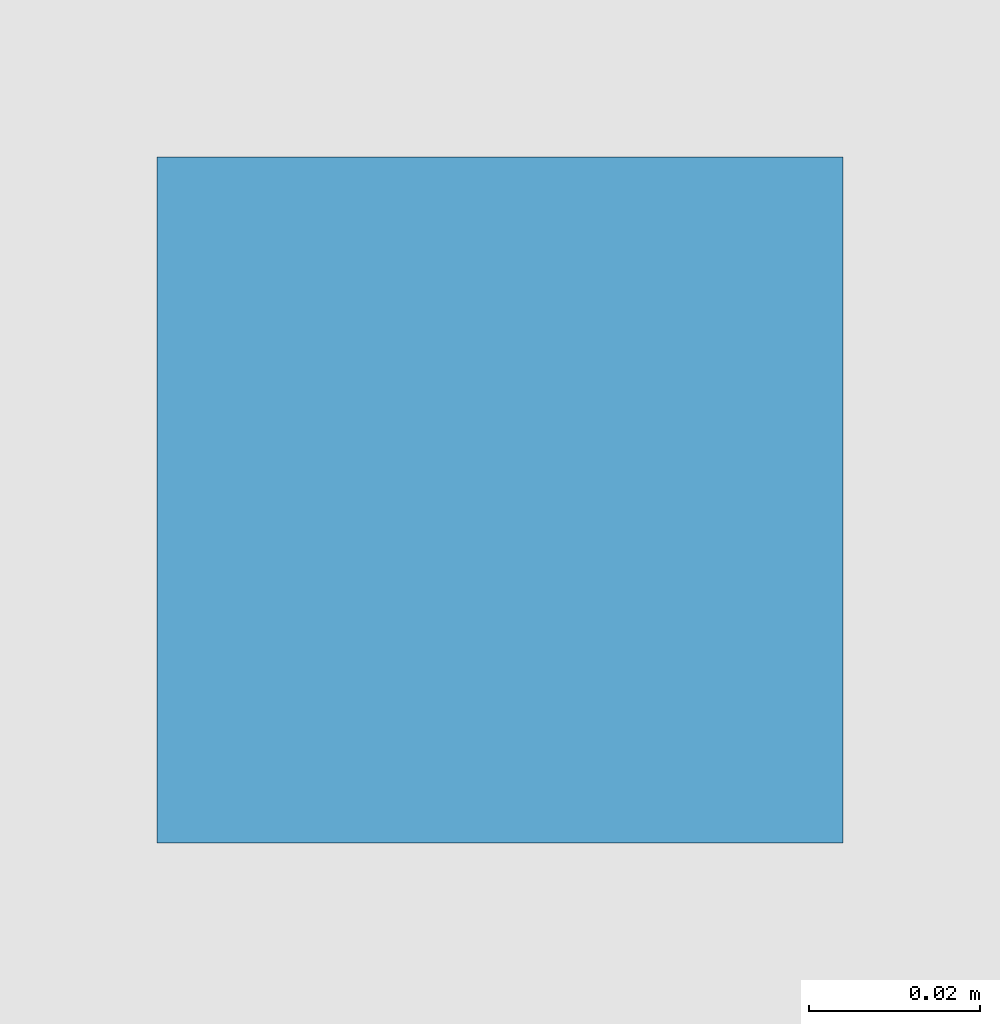
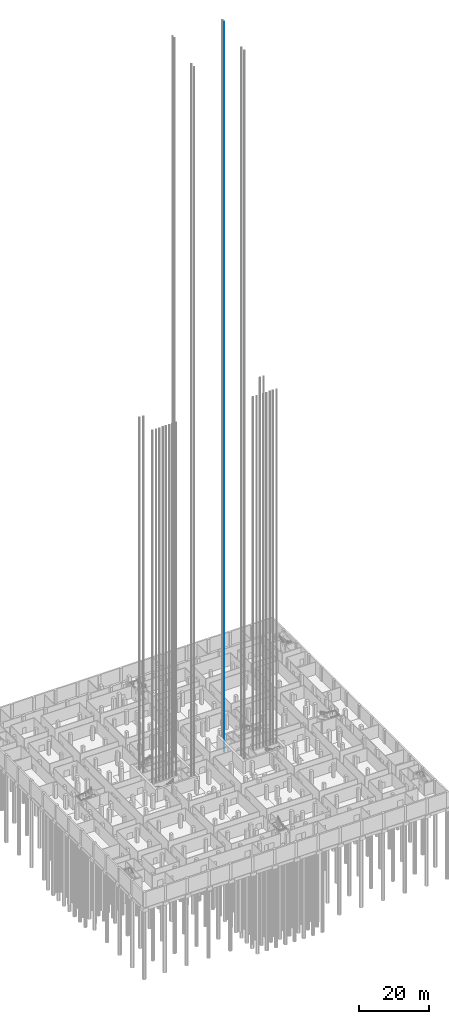
# One storey, part 41 of 54: 1 discrete accessory.
"""IFC4 building model written with IfcOpenShell, lengths in metres."""

from ifc_helpers import new_model, si_unit, direction, frame, origin, origin_2d, place, context, subcontext, project, spatial, rectangle, extrude, material, element, save


model = new_model("IFC4")

# Units and contexts
model_context = context("Model", 3, precision=1e-05, world=origin(), true_north=direction((0.0, 1.0)))
body_context = subcontext(model_context, "Body", "Model", "MODEL_VIEW")
ifc_project = project(units=[si_unit("LENGTHUNIT", "METRE"), si_unit("AREAUNIT", "SQUARE_METRE"), si_unit("VOLUMEUNIT", "CUBIC_METRE"), si_unit("PLANEANGLEUNIT", "RADIAN"), si_unit("MASSUNIT", "GRAM", prefix="KILO")], contexts=[model_context])

# Site, building, storey
site_placement = place(None, origin())
site = spatial("IfcSite", under=ifc_project, at=site_placement, CompositionType="ELEMENT")
building_placement = place(site_placement, origin())
building = spatial("IfcBuilding", under=site, at=building_placement, Name="Fustian Cross Tower", CompositionType="ELEMENT")
storey_placement = place(building_placement, frame((0.0, 0.0, -4.800048828125)))
storey = spatial("IfcBuildingStorey", under=building, at=storey_placement, Name="B1", CompositionType="ELEMENT", Elevation=-4.800048828125)

# Discrete accessory
ifc_material = material(Name="Steel S355", Category="steel")
discrete_accessory_placement = place(storey_placement, frame((8.18994140625, 5.0, 0.0), z_axis=(0.0, 0.0, 1.0), x_axis=(1.0, 0.0, 0.0)))
element("IfcDiscreteAccessory", 1, at=discrete_accessory_placement, inside=storey, material=ifc_material, Name="Lift guide rail FL1 1", PredefinedType="NOTDEFINED", context=body_context, shape_type="SweptSolid", body=[
    extrude(rectangle(XDim=0.080078125, YDim=0.080078125, at=origin_2d()), origin(), (0.0, 0.0, 1.0), 254.449951171875),
])

save(model, "model.ifc")
